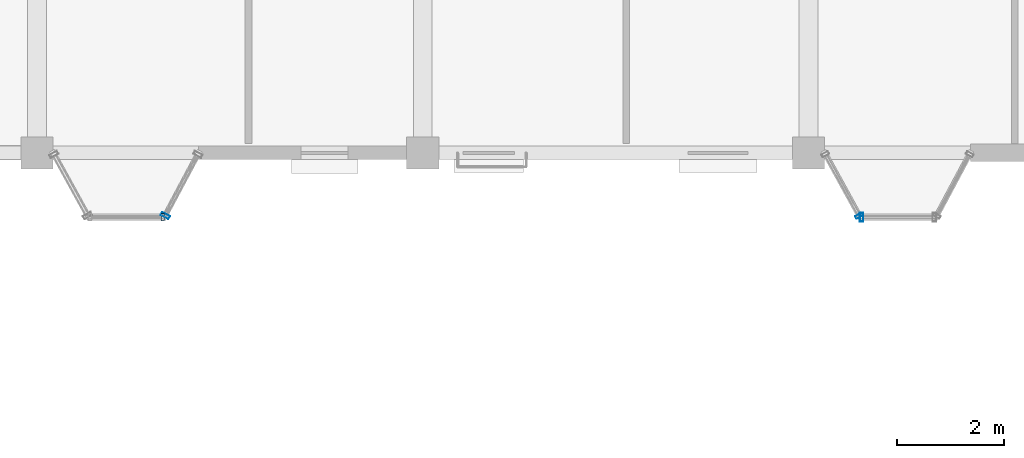
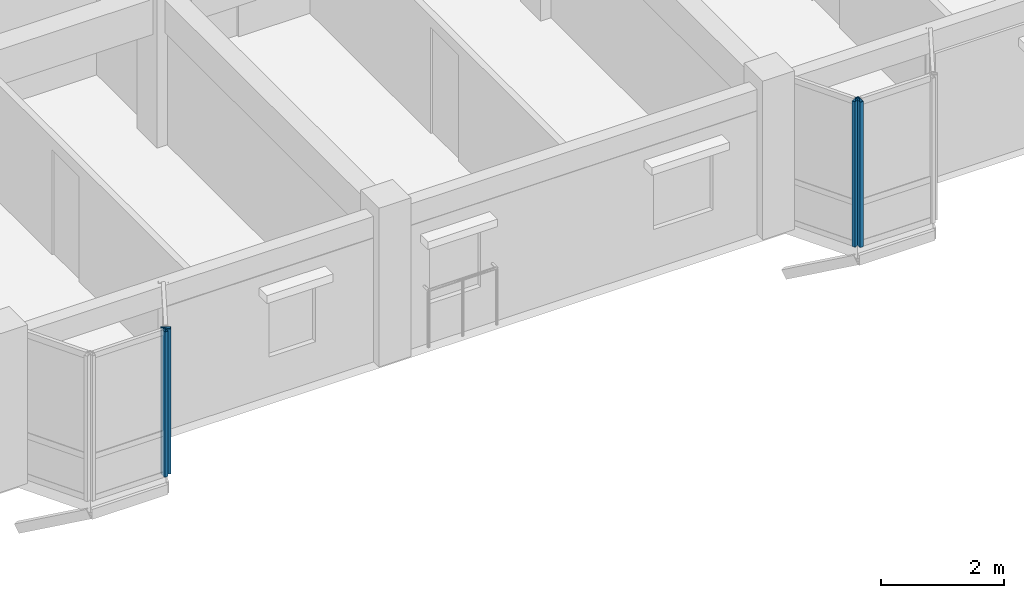
# One storey, part 62 of 124: 4 members, 4 elements without a shape of their own.
"""IFC4 building model written with IfcOpenShell, lengths in metres."""

from ifc_helpers import new_model, si_unit, direction, frame, origin, origin_2d, place, context, subcontext, project, spatial, hollow_rectangle, extrude, material, layer, layer_set, material_profile, profile_set, type_object, element, aggregate, save


model = new_model("IFC4")

# Units and contexts
model_context = context("Model", 3, precision=1e-05, world=origin(), true_north=direction((0.0, 1.0)))
body_context = subcontext(model_context, "Body", "Model", "MODEL_VIEW")
ifc_project = project(units=[si_unit("LENGTHUNIT", "METRE"), si_unit("AREAUNIT", "SQUARE_METRE"), si_unit("VOLUMEUNIT", "CUBIC_METRE"), si_unit("PLANEANGLEUNIT", "RADIAN"), si_unit("MASSUNIT", "GRAM", prefix="KILO"), si_unit("THERMODYNAMICTEMPERATUREUNIT", "KELVIN"), si_unit("POWERUNIT", "WATT")], contexts=[model_context])

# Site, building, storey
site_placement = place(None, origin())
site = spatial("IfcSite", under=ifc_project, at=site_placement, CompositionType="ELEMENT")
building_placement = place(site_placement, origin())
building = spatial("IfcBuilding", under=site, at=building_placement, Name="Tavuni Mirador Residences", CompositionType="ELEMENT")
storey_placement = place(building_placement, frame((0.0, 0.0, 7.64990234375)))
storey = spatial("IfcBuildingStorey", under=building, at=storey_placement, Name="L02", CompositionType="ELEMENT", Elevation=7.64990234375)

# Curtain wall, member
ifc_material = material(Name="Anodised aluminium", Category="aluminium")
ifc_layer_1 = layer(ifc_material, 0.1650390625, Name="Anodised aluminium", Category="aluminium")
ifc_layer_set_1 = layer_set([ifc_layer_1], Name="Anodised aluminium")
curtain_wall_type_1 = type_object("IfcCurtainWallType", Name="CWT-MIR-A", PredefinedType="NOTDEFINED", material=ifc_layer_set_1)
curtain_wall_1_placement = place(storey_placement, origin())
curtain_wall_1 = element("IfcCurtainWall", 1, at=curtain_wall_1_placement, inside=storey, type_object=curtain_wall_type_1, Name="CW-MIR-C-S2-L02-MF", PredefinedType="NOTDEFINED")
ifc_material_profile_1 = material_profile(ifc_material, hollow_rectangle(XDim=0.06005859375, YDim=0.139892578125, WallThickness=0.00390625, at=origin_2d()), Name="ALU 60x140x4.0", Category="aluminium")
ifc_profile_set_1 = profile_set([ifc_material_profile_1], Name="Anodised aluminium")
member_type_1 = type_object("IfcMemberType", Name="CWM-140", PredefinedType="MULLION", material=ifc_profile_set_1)
member_1_placement = place(storey_placement, frame((34.75, 142.800048828125, 0.0), z_axis=(0.0, 0.0, 1.0), x_axis=(1.0, 0.0, 0.0)))
member_1 = element("IfcMember", 2, at=member_1_placement, type_object=member_type_1, Name="CW-01 mullion 2", PredefinedType="MULLION", context=body_context, shape_type="SweptSolid", body=[
    extrude(hollow_rectangle(XDim=0.06005859375, YDim=0.139892578125, WallThickness=0.00390625, at=origin_2d()), origin(), (0.0, 0.0, 1.0), 2.885009765625),
])
aggregate(curtain_wall_1, [member_1])

ifc_layer_2 = layer(ifc_material, 0.175048828125, Name="Anodised aluminium", Category="aluminium")
ifc_layer_set_2 = layer_set([ifc_layer_2], Name="Anodised aluminium")
curtain_wall_type_2 = type_object("IfcCurtainWallType", Name="CWT-MIR-C", PredefinedType="NOTDEFINED", material=ifc_layer_set_2)
curtain_wall_2_placement = place(storey_placement, origin())
curtain_wall_2 = element("IfcCurtainWall", 3, at=curtain_wall_2_placement, inside=storey, type_object=curtain_wall_type_2, Name="CW-MIR-C-S3-L02-M1", PredefinedType="NOTDEFINED")
member_2_placement = place(storey_placement, frame((47.74560546875, 142.826171875, 0.0), z_axis=(0.0, 0.0, 1.0), x_axis=(0.481918749773, -0.876215908676, 0.0)))
member_2 = element("IfcMember", 4, at=member_2_placement, type_object=member_type_1, Name="CW-03 mullion 2", PredefinedType="MULLION", context=body_context, shape_type="SweptSolid", body=[
    extrude(hollow_rectangle(XDim=0.06005859375, YDim=0.139892578125, WallThickness=0.00390625, at=origin_2d()), origin(), (0.0, 0.0, 1.0), 2.885009765625),
])
aggregate(curtain_wall_2, [member_2])

ifc_layer_3 = layer(ifc_material, 0.14990234375, Name="Anodised aluminium", Category="aluminium")
ifc_layer_set_3 = layer_set([ifc_layer_3], Name="Anodised aluminium")
curtain_wall_type_3 = type_object("IfcCurtainWallType", Name="CWT-MIR-B", PredefinedType="NOTDEFINED", material=ifc_layer_set_3)
curtain_wall_3_placement = place(storey_placement, origin())
curtain_wall_3 = element("IfcCurtainWall", 5, at=curtain_wall_3_placement, inside=storey, type_object=curtain_wall_type_3, Name="CW-MIR-C-S2-L02-M2", PredefinedType="NOTDEFINED")
ifc_material_profile_2 = material_profile(ifc_material, hollow_rectangle(XDim=0.06494140625, YDim=0.1650390625, WallThickness=0.00439453125, at=origin_2d()), Name="ALU 65x165x4.5", Category="aluminium")
ifc_profile_set_2 = profile_set([ifc_material_profile_2], Name="Anodised aluminium")
member_type_2 = type_object("IfcMemberType", Name="CWM-165", PredefinedType="MULLION", material=ifc_profile_set_2)
member_3_placement = place(storey_placement, frame((34.79541015625, 142.82861328125, 0.0), z_axis=(0.0, 0.0, 1.0), x_axis=(0.470588235296, 0.882352941175, 0.0)))
member_3 = element("IfcMember", 6, at=member_3_placement, type_object=member_type_2, Name="CW-02 mullion 1", PredefinedType="MULLION", context=body_context, shape_type="SweptSolid", body=[
    extrude(hollow_rectangle(XDim=0.06494140625, YDim=0.1650390625, WallThickness=0.00439453125, at=origin_2d()), origin(), (0.0, 0.0, 1.0), 2.885009765625),
])
aggregate(curtain_wall_3, [member_3])

ifc_layer_4 = layer(ifc_material, 0.159912109375, Name="Anodised aluminium", Category="aluminium")
ifc_layer_set_4 = layer_set([ifc_layer_4], Name="Anodised aluminium")
curtain_wall_type_4 = type_object("IfcCurtainWallType", Name="CWT-MIR-D", PredefinedType="NOTDEFINED", material=ifc_layer_set_4)
curtain_wall_4_placement = place(storey_placement, origin())
curtain_wall_4 = element("IfcCurtainWall", 7, at=curtain_wall_4_placement, inside=storey, type_object=curtain_wall_type_4, Name="CW-MIR-C-S3-L02-MF", PredefinedType="NOTDEFINED")
member_4_placement = place(storey_placement, frame((47.79248046875, 142.800048828125, 0.0), z_axis=(0.0, 0.0, 1.0), x_axis=(1.0, 0.0, 0.0)))
member_4 = element("IfcMember", 8, at=member_4_placement, type_object=member_type_2, Name="CW-04 mullion 1", PredefinedType="MULLION", context=body_context, shape_type="SweptSolid", body=[
    extrude(hollow_rectangle(XDim=0.06494140625, YDim=0.1650390625, WallThickness=0.00439453125, at=origin_2d()), origin(), (0.0, 0.0, 1.0), 2.885009765625),
])
aggregate(curtain_wall_4, [member_4])

save(model, "model.ifc")
